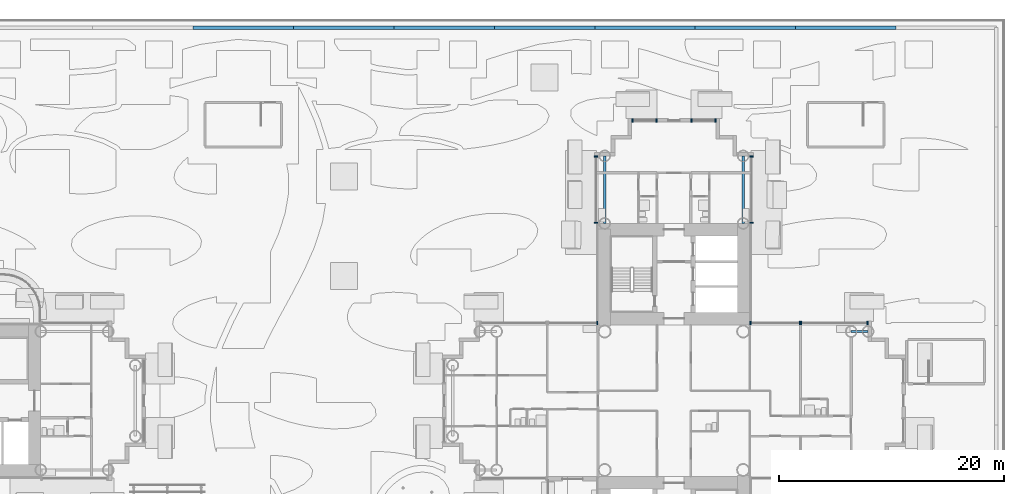
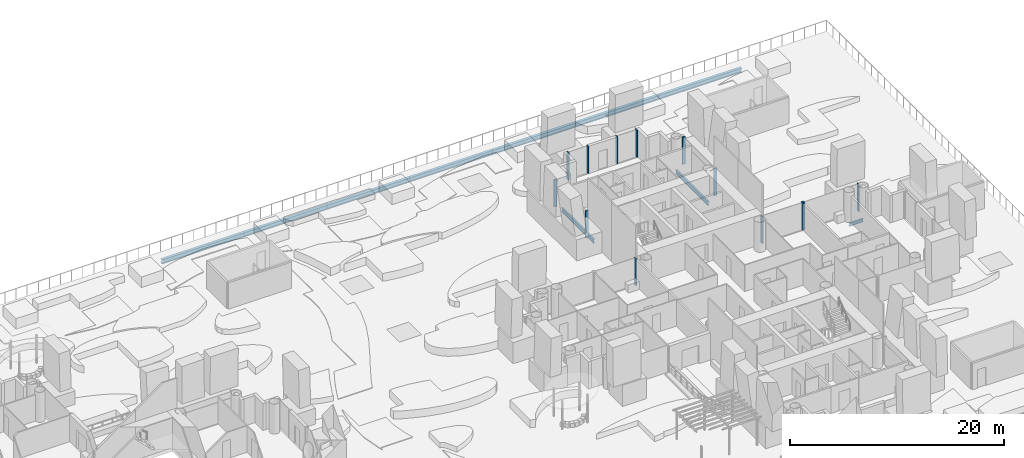
# One storey, part 16 of 40: 13 members, 10 beams, 7 elements without a shape of their own.
"""IFC4 building model written with IfcOpenShell, lengths in metres."""

from ifc_helpers import new_model, si_unit, direction, frame, origin, origin_2d, place, context, subcontext, project, spatial, rectangle, i_section, extrude, material, layer, layer_set, material_profile, profile_set, type_object, element, aggregate, save


model = new_model("IFC4")

# Units and contexts
model_context = context("Model", 3, precision=1e-05, world=origin(), true_north=direction((0.0, 1.0)))
body_context = subcontext(model_context, "Body", "Model", "MODEL_VIEW")
ifc_project = project(units=[si_unit("LENGTHUNIT", "METRE"), si_unit("AREAUNIT", "SQUARE_METRE"), si_unit("VOLUMEUNIT", "CUBIC_METRE"), si_unit("PLANEANGLEUNIT", "RADIAN"), si_unit("MASSUNIT", "GRAM", prefix="KILO")], contexts=[model_context])

# Site, building, storey
site_placement = place(None, origin())
site = spatial("IfcSite", under=ifc_project, at=site_placement, CompositionType="ELEMENT")
building_placement = place(site_placement, origin())
building = spatial("IfcBuilding", under=site, at=building_placement, Name="Ipe Terrace Towers", CompositionType="ELEMENT")
storey_placement = place(building_placement, frame((0.0, 0.0, 24.5)))
storey = spatial("IfcBuildingStorey", under=building, at=storey_placement, Name="L05", CompositionType="ELEMENT", Elevation=24.5)

# Beams
ifc_material_1 = material(Name="Steel S355", Category="steel")
ifc_material_profile_1 = material_profile(ifc_material_1, i_section(OverallWidth=0.175048828125, OverallDepth=0.35009765625, WebThickness=0.007080078125, FlangeThickness=0.010986328125, at=origin_2d()), Name="H-350x175x7x11")
ifc_profile_set_1 = profile_set([ifc_material_profile_1], Name="Steel S355")
beam_type_1 = type_object("IfcBeamType", Name="H04 EDGE BEAM H-350x175x7x11", PredefinedType="BEAM", material=ifc_profile_set_1)
beam_1_placement = place(storey_placement, frame((51.75, 6.14990234375, -0.574951171875), z_axis=(1.0, 0.0, 0.0), x_axis=(0.0, 1.0, 0.0)))
element("IfcBeam", 1, at=beam_1_placement, inside=storey, type_object=beam_type_1, Name="Edge beam T2-EB-D04-D06", PredefinedType="BEAM", context=body_context, shape_type="SweptSolid", body=[
    extrude(i_section(OverallWidth=0.175048828125, OverallDepth=0.35009765625, WebThickness=0.007080078125, FlangeThickness=0.010986328125, at=origin_2d()), origin(), (0.0, 0.0, 1.0), 1.5),
])
ifc_material_2 = material(Name="Steel S355", Category="steel")
ifc_material_profile_2 = material_profile(ifc_material_2, i_section(OverallWidth=0.199951171875, OverallDepth=0.449951171875, WebThickness=0.009033203125, FlangeThickness=0.013916015625, at=origin_2d()), Name="H-450x200x9x14")
ifc_profile_set_2 = profile_set([ifc_material_profile_2], Name="Steel S355")
beam_type_2 = type_object("IfcBeamType", Name="H08 EDGE BEAM H-450x200x9x14", PredefinedType="BEAM", material=ifc_profile_set_2)
for number, where, z_axis, x_axis, name in (
    (2, (42.14990234375, 15.75, -0.625), (0.0, 1.0, 0.0), (-1.0, 0.0, 0.0), "Edge beam T2-EB-A01-A03"),
    (3, (29.85009765625, 15.75, -0.625), (0.0, 1.0, 0.0), (-1.0, 0.0, 0.0), "Edge beam T2-EB-A02-A04"),
):
    element("IfcBeam", number, at=place(storey_placement, frame(where, z_axis=z_axis, x_axis=x_axis)), inside=storey, type_object=beam_type_2, Name=name, PredefinedType="BEAM", context=body_context, shape_type="SweptSolid", body=[
        extrude(i_section(OverallWidth=0.199951171875, OverallDepth=0.449951171875, WebThickness=0.009033203125, FlangeThickness=0.013916015625, at=origin_2d()), origin(), (0.0, 0.0, 1.0), 6.0),
    ])
ifc_material_3 = material(Name="Steel S355", Category="steel")
ifc_material_profile_3 = material_profile(ifc_material_3, i_section(OverallWidth=0.300048828125, OverallDepth=0.488037109375, WebThickness=0.010986328125, FlangeThickness=0.01806640625, at=origin_2d()), Name="H-488x300x11x18")
ifc_profile_set_3 = profile_set([ifc_material_profile_3], Name="Steel S355")
beam_type_3 = type_object("IfcBeamType", Name="H09 EDGE BEAM H-488x300x11x18", PredefinedType="BEAM", material=ifc_profile_set_3)
for number, where, z_axis, x_axis, name in (
    (4, (-6.7099609375, 33.14990234375, -0.6689453125), (1.0, 0.0, 0.0), (0.0, 1.0, 0.0), "Edge beam PD-EB-K08-K09"),
    (5, (2.2099609375, 33.14990234375, -0.6689453125), (1.0, 0.0, 0.0), (0.0, 1.0, 0.0), "Edge beam PD-EB-K09-K10"),
):
    element("IfcBeam", number, at=place(storey_placement, frame(where, z_axis=z_axis, x_axis=x_axis)), inside=storey, type_object=beam_type_3, Name=name, PredefinedType="BEAM", context=body_context, shape_type="SweptSolid", body=[
        extrude(i_section(OverallWidth=0.300048828125, OverallDepth=0.488037109375, WebThickness=0.010986328125, FlangeThickness=0.01806640625, at=origin_2d()), origin(), (0.0, 0.0, 1.0), 8.919921875),
    ])
beam_2_placement = place(storey_placement, frame((11.1298828125, 33.14990234375, -0.6689453125), z_axis=(1.0, 0.0, 0.0), x_axis=(0.0, 1.0, 0.0)))
element("IfcBeam", 6, at=beam_2_placement, inside=storey, type_object=beam_type_3, Name="Edge beam PD-EB-K10-K11", PredefinedType="BEAM", context=body_context, shape_type="SweptSolid", body=[
    extrude(i_section(OverallWidth=0.300048828125, OverallDepth=0.488037109375, WebThickness=0.010986328125, FlangeThickness=0.01806640625, at=origin_2d()), origin(), (0.0, 0.0, 1.0), 8.920166015625),
])
for number, where, z_axis, x_axis, name in (
    (7, (20.050048828125, 33.14990234375, -0.6689453125), (1.0, 0.0, 0.0), (0.0, 1.0, 0.0), "Edge beam PD-EB-K11-K12"),
    (8, (28.969970703125, 33.14990234375, -0.6689453125), (1.0, 0.0, 0.0), (0.0, 1.0, 0.0), "Edge beam PD-EB-K12-K13"),
):
    element("IfcBeam", number, at=place(storey_placement, frame(where, z_axis=z_axis, x_axis=x_axis)), inside=storey, type_object=beam_type_3, Name=name, PredefinedType="BEAM", context=body_context, shape_type="SweptSolid", body=[
        extrude(i_section(OverallWidth=0.300048828125, OverallDepth=0.488037109375, WebThickness=0.010986328125, FlangeThickness=0.01806640625, at=origin_2d()), origin(), (0.0, 0.0, 1.0), 8.919921875),
    ])
beam_3_placement = place(storey_placement, frame((37.889892578125, 33.14990234375, -0.6689453125), z_axis=(1.0, 0.0, 0.0), x_axis=(0.0, 1.0, 0.0)))
element("IfcBeam", 9, at=beam_3_placement, inside=storey, type_object=beam_type_3, Name="Edge beam PD-EB-K13-K14", PredefinedType="BEAM", context=body_context, shape_type="SweptSolid", body=[
    extrude(i_section(OverallWidth=0.300048828125, OverallDepth=0.488037109375, WebThickness=0.010986328125, FlangeThickness=0.01806640625, at=origin_2d()), origin(), (0.0, 0.0, 1.0), 8.920166015625),
])
beam_4_placement = place(storey_placement, frame((46.81005859375, 33.14990234375, -0.6689453125), z_axis=(1.0, 0.0, 0.0), x_axis=(0.0, 1.0, 0.0)))
element("IfcBeam", 10, at=beam_4_placement, inside=storey, type_object=beam_type_3, Name="Edge beam PD-EB-K14-K15", PredefinedType="BEAM", context=body_context, shape_type="SweptSolid", body=[
    extrude(i_section(OverallWidth=0.300048828125, OverallDepth=0.488037109375, WebThickness=0.010986328125, FlangeThickness=0.01806640625, at=origin_2d()), origin(), (0.0, 0.0, 1.0), 8.919921875),
])

# Curtain wall, members
ifc_material_4 = material(Name="Aluminium alloy 6063-T6", Category="aluminium")
ifc_layer = layer(ifc_material_4, 0.320068359375)
ifc_layer_set = layer_set([ifc_layer], Name="TOWER UNITISED CURTAIN WALL")
curtain_wall_type = type_object("IfcCurtainWallType", Name="TOWER UNITISED CURTAIN WALL", PredefinedType="NOTDEFINED", material=ifc_layer_set)
curtain_wall_1_placement = place(storey_placement, origin())
curtain_wall_1 = element("IfcCurtainWall", 11, at=curtain_wall_1_placement, inside=storey, type_object=curtain_wall_type, Name="T2-CW-L05-17a curtain wall", PredefinedType="NOTDEFINED")
ifc_material_5 = material(Name="Aluminium alloy 6063-T6", Category="aluminium")
ifc_material_profile_4 = material_profile(ifc_material_5, rectangle(XDim=0.320068359375, YDim=0.1201171875, at=origin_2d()), Name="TOWER UNITISED CORNER MULLION 320 x 120")
ifc_profile_set_4 = profile_set([ifc_material_profile_4], Name="Aluminium alloy 6063-T6")
member_type = type_object("IfcMemberType", Name="TOWER UNITISED CORNER MULLION 320 x 120", PredefinedType="MULLION", material=ifc_profile_set_4)
member_1_placement = place(storey_placement, frame((53.18994140625, 6.909912109375, 0.0), z_axis=(0.0, 0.0, 1.0), x_axis=(0.0, 1.0, 0.0)))
member_1 = element("IfcMember", 12, at=member_1_placement, type_object=member_type, Name="T2-CW-L05-17a mullion 1", PredefinedType="MULLION", context=body_context, shape_type="SweptSolid", body=[
    extrude(rectangle(XDim=0.320068359375, YDim=0.1201171875, at=origin_2d()), origin(), (0.0, 0.0, 1.0), 3.10009765625),
])
member_2_placement = place(storey_placement, frame((47.31005859375, 6.909912109375, 0.0), z_axis=(0.0, 0.0, 1.0), x_axis=(0.0, 1.0, 0.0)))
member_2 = element("IfcMember", 13, at=member_2_placement, type_object=member_type, Name="T2-CW-L05-17a mullion 2", PredefinedType="MULLION", context=body_context, shape_type="SweptSolid", body=[
    extrude(rectangle(XDim=0.320068359375, YDim=0.1201171875, at=origin_2d()), origin(), (0.0, 0.0, 1.0), 3.10009765625),
])
aggregate(curtain_wall_1, [member_1, member_2])

curtain_wall_2_placement = place(storey_placement, origin())
curtain_wall_2 = element("IfcCurtainWall", 14, at=curtain_wall_2_placement, inside=storey, type_object=curtain_wall_type, Name="T2-CW-L05-18a curtain wall", PredefinedType="NOTDEFINED")
member_3_placement = place(storey_placement, frame((47.18994140625, 6.909912109375, 0.0), z_axis=(0.0, 0.0, 1.0), x_axis=(0.0, 1.0, 0.0)))
member_3 = element("IfcMember", 15, at=member_3_placement, type_object=member_type, Name="T2-CW-L05-18a mullion 1", PredefinedType="MULLION", context=body_context, shape_type="SweptSolid", body=[
    extrude(rectangle(XDim=0.320068359375, YDim=0.1201171875, at=origin_2d()), origin(), (0.0, 0.0, 1.0), 3.10009765625),
])
member_4_placement = place(storey_placement, frame((42.81005859375, 6.909912109375, 0.0), z_axis=(0.0, 0.0, 1.0), x_axis=(0.0, 1.0, 0.0)))
member_4 = element("IfcMember", 16, at=member_4_placement, type_object=member_type, Name="T2-CW-L05-18a mullion 2", PredefinedType="MULLION", context=body_context, shape_type="SweptSolid", body=[
    extrude(rectangle(XDim=0.320068359375, YDim=0.1201171875, at=origin_2d()), origin(), (0.0, 0.0, 1.0), 3.10009765625),
])
aggregate(curtain_wall_2, [member_3, member_4])

curtain_wall_3_placement = place(storey_placement, origin())
curtain_wall_3 = element("IfcCurtainWall", 17, at=curtain_wall_3_placement, inside=storey, type_object=curtain_wall_type, Name="T2-CW-L05-20b curtain wall", PredefinedType="NOTDEFINED")
member_5_placement = place(storey_placement, frame((42.909912109375, 15.81103515625, 0.0), z_axis=(0.0, 0.0, 1.0), x_axis=(1.0, 0.0, 0.0)))
member_5 = element("IfcMember", 18, at=member_5_placement, type_object=member_type, Name="T2-CW-L05-20b mullion 1", PredefinedType="MULLION", context=body_context, shape_type="SweptSolid", body=[
    extrude(rectangle(XDim=0.320068359375, YDim=0.1201171875, at=origin_2d()), origin(), (0.0, 0.0, 1.0), 3.10009765625),
])
member_6_placement = place(storey_placement, frame((42.909912109375, 21.68994140625, 0.0), z_axis=(0.0, 0.0, 1.0), x_axis=(1.0, 0.0, 0.0)))
member_6 = element("IfcMember", 19, at=member_6_placement, type_object=member_type, Name="T2-CW-L05-20b mullion 2", PredefinedType="MULLION", context=body_context, shape_type="SweptSolid", body=[
    extrude(rectangle(XDim=0.320068359375, YDim=0.1201171875, at=origin_2d()), origin(), (0.0, 0.0, 1.0), 3.10009765625),
])
aggregate(curtain_wall_3, [member_5, member_6])

curtain_wall_4_placement = place(storey_placement, origin())
curtain_wall_4 = element("IfcCurtainWall", 20, at=curtain_wall_4_placement, inside=storey, type_object=curtain_wall_type, Name="T2-CW-L05-25a curtain wall", PredefinedType="NOTDEFINED")
member_7_placement = place(storey_placement, frame((39.68994140625, 24.909912109375, 0.0), z_axis=(0.0, 0.0, 1.0), x_axis=(0.0, 1.0, 0.0)))
member_7 = element("IfcMember", 21, at=member_7_placement, type_object=member_type, Name="T2-CW-L05-25a mullion 1", PredefinedType="MULLION", context=body_context, shape_type="SweptSolid", body=[
    extrude(rectangle(XDim=0.320068359375, YDim=0.1201171875, at=origin_2d()), origin(), (0.0, 0.0, 1.0), 3.10009765625),
])
member_8_placement = place(storey_placement, frame((37.56005859375, 24.909912109375, 0.0), z_axis=(0.0, 0.0, 1.0), x_axis=(0.0, 1.0, 0.0)))
member_8 = element("IfcMember", 22, at=member_8_placement, type_object=member_type, Name="T2-CW-L05-25a mullion 2", PredefinedType="MULLION", context=body_context, shape_type="SweptSolid", body=[
    extrude(rectangle(XDim=0.320068359375, YDim=0.1201171875, at=origin_2d()), origin(), (0.0, 0.0, 1.0), 3.10009765625),
])
aggregate(curtain_wall_4, [member_7, member_8])

curtain_wall_5_placement = place(storey_placement, origin())
curtain_wall_5 = element("IfcCurtainWall", 23, at=curtain_wall_5_placement, inside=storey, type_object=curtain_wall_type, Name="T2-CW-L05-25c curtain wall", PredefinedType="NOTDEFINED")
member_9_placement = place(storey_placement, frame((34.43994140625, 24.909912109375, 0.0), z_axis=(0.0, 0.0, 1.0), x_axis=(0.0, 1.0, 0.0)))
member_9 = element("IfcMember", 24, at=member_9_placement, type_object=member_type, Name="T2-CW-L05-25c mullion 1", PredefinedType="MULLION", context=body_context, shape_type="SweptSolid", body=[
    extrude(rectangle(XDim=0.320068359375, YDim=0.1201171875, at=origin_2d()), origin(), (0.0, 0.0, 1.0), 3.10009765625),
])
member_10_placement = place(storey_placement, frame((32.31005859375, 24.909912109375, 0.0), z_axis=(0.0, 0.0, 1.0), x_axis=(0.0, 1.0, 0.0)))
member_10 = element("IfcMember", 25, at=member_10_placement, type_object=member_type, Name="T2-CW-L05-25c mullion 2", PredefinedType="MULLION", context=body_context, shape_type="SweptSolid", body=[
    extrude(rectangle(XDim=0.320068359375, YDim=0.1201171875, at=origin_2d()), origin(), (0.0, 0.0, 1.0), 3.10009765625),
])
aggregate(curtain_wall_5, [member_9, member_10])

curtain_wall_6_placement = place(storey_placement, origin())
curtain_wall_6 = element("IfcCurtainWall", 26, at=curtain_wall_6_placement, inside=storey, type_object=curtain_wall_type, Name="T2-CW-L05-30a curtain wall", PredefinedType="NOTDEFINED")
member_11_placement = place(storey_placement, frame((29.090087890625, 21.68994140625, 0.0), z_axis=(0.0, 0.0, 1.0), x_axis=(-1.0, 0.0, 0.0)))
member_11 = element("IfcMember", 27, at=member_11_placement, type_object=member_type, Name="T2-CW-L05-30a mullion 1", PredefinedType="MULLION", context=body_context, shape_type="SweptSolid", body=[
    extrude(rectangle(XDim=0.320068359375, YDim=0.1201171875, at=origin_2d()), origin(), (0.0, 0.0, 1.0), 3.10009765625),
])
member_12_placement = place(storey_placement, frame((29.090087890625, 15.81103515625, 0.0), z_axis=(0.0, 0.0, 1.0), x_axis=(-1.0, 0.0, 0.0)))
member_12 = element("IfcMember", 28, at=member_12_placement, type_object=member_type, Name="T2-CW-L05-30a mullion 2", PredefinedType="MULLION", context=body_context, shape_type="SweptSolid", body=[
    extrude(rectangle(XDim=0.320068359375, YDim=0.1201171875, at=origin_2d()), origin(), (0.0, 0.0, 1.0), 3.10009765625),
])
aggregate(curtain_wall_6, [member_11, member_12])

# Curtain wall, member
curtain_wall_7_placement = place(storey_placement, origin())
curtain_wall_7 = element("IfcCurtainWall", 29, at=curtain_wall_7_placement, inside=storey, type_object=curtain_wall_type, Name="T2-CW-L05-32a curtain wall", PredefinedType="NOTDEFINED")
member_13_placement = place(storey_placement, frame((29.18994140625, 6.909912109375, 0.0), z_axis=(0.0, 0.0, 1.0), x_axis=(0.0, 1.0, 0.0)))
member_13 = element("IfcMember", 30, at=member_13_placement, type_object=member_type, Name="T2-CW-L05-32a mullion 1", PredefinedType="MULLION", context=body_context, shape_type="SweptSolid", body=[
    extrude(rectangle(XDim=0.320068359375, YDim=0.1201171875, at=origin_2d()), origin(), (0.0, 0.0, 1.0), 3.10009765625),
])
aggregate(curtain_wall_7, [member_13])

save(model, "model.ifc")
